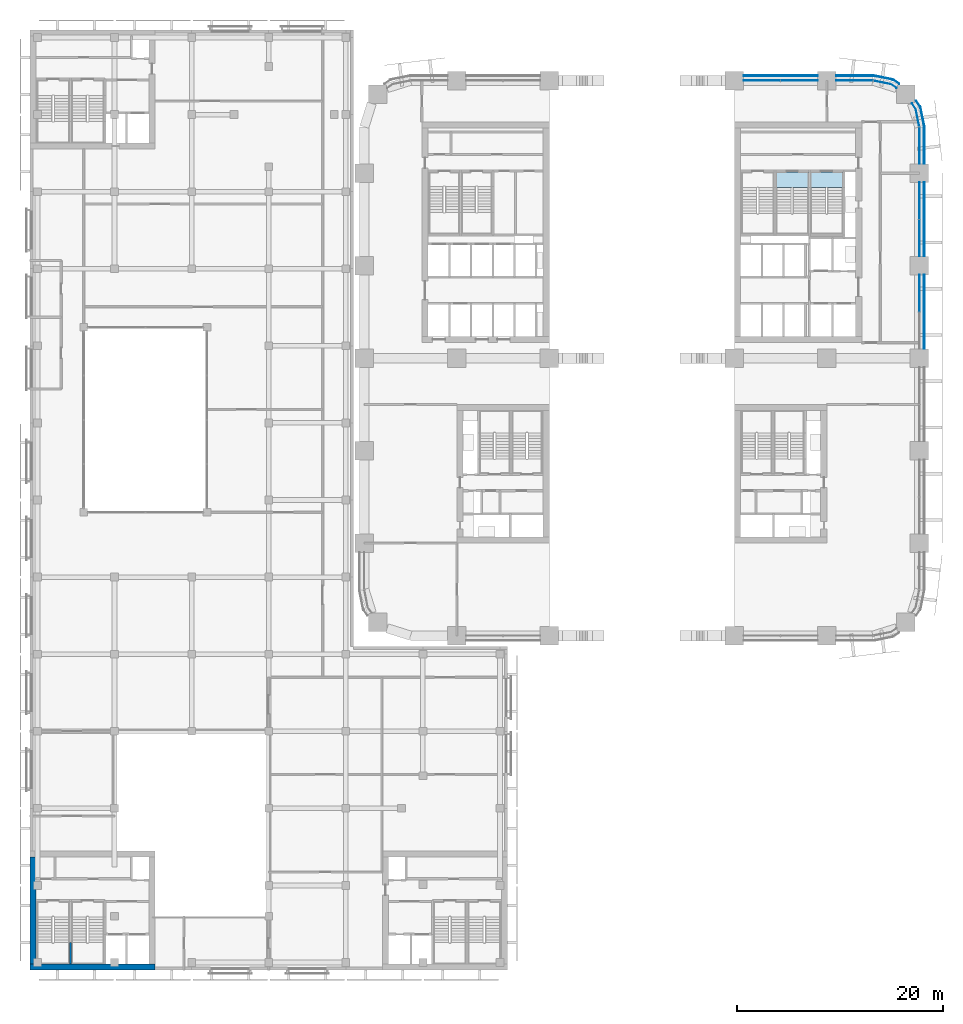
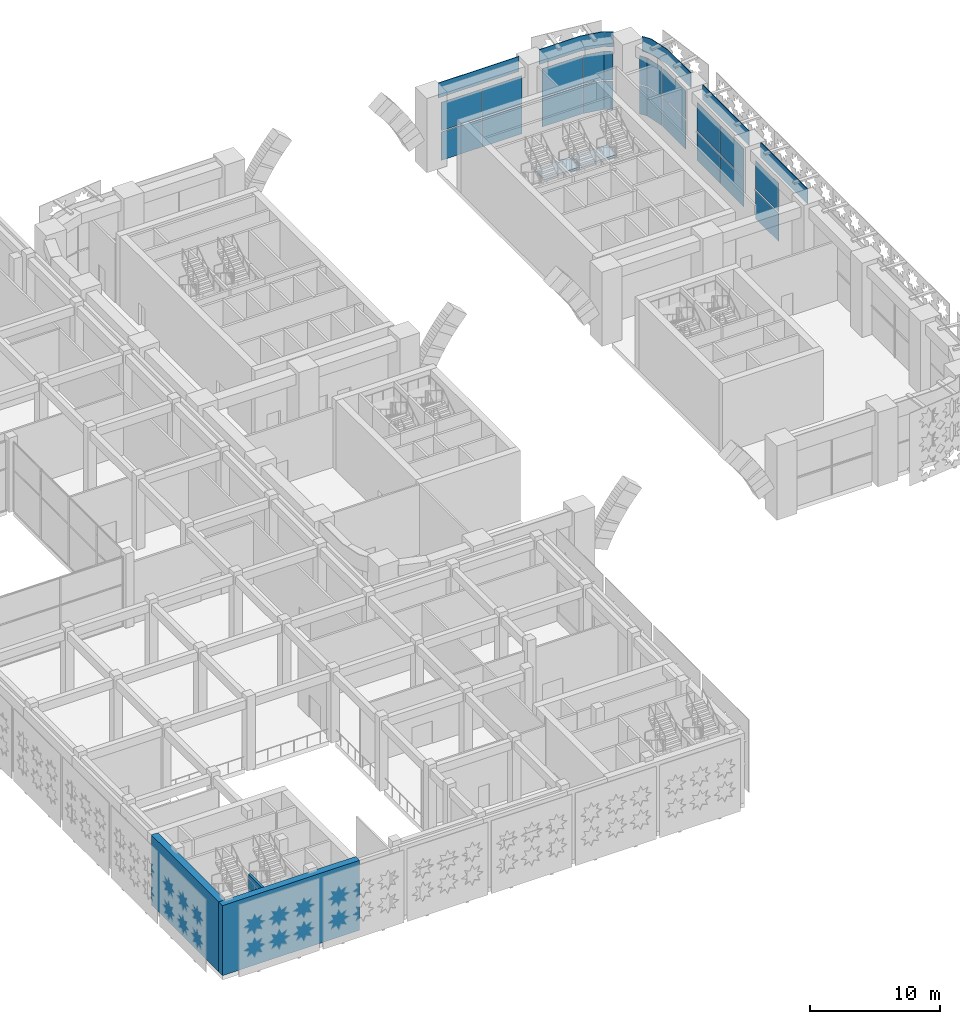
# One storey, part 13 of 42: 23 plates, 3 walls, 2 slabs, 7 elements without a shape of their own.
"""IFC4 building model written with IfcOpenShell, lengths in metres."""

from ifc_helpers import new_model, si_unit, direction, frame, frame_2d, origin, origin_2d, place, context, subcontext, project, spatial, polyline, rectangle, outline, extrude, material, layer, layer_set, type_object, element, aggregate, save


model = new_model("IFC4")

# Units and contexts
model_context = context("Model", 3, precision=1e-05, world=origin(), true_north=direction((0.0, 1.0)))
body_context = subcontext(model_context, "Body", "Model", "MODEL_VIEW")
ifc_project = project(units=[si_unit("LENGTHUNIT", "METRE"), si_unit("AREAUNIT", "SQUARE_METRE"), si_unit("VOLUMEUNIT", "CUBIC_METRE"), si_unit("PLANEANGLEUNIT", "RADIAN"), si_unit("MASSUNIT", "GRAM", prefix="KILO")], contexts=[model_context])

# Site, building, storey
site_placement = place(None, origin())
site = spatial("IfcSite", under=ifc_project, at=site_placement, CompositionType="ELEMENT")
building_placement = place(site_placement, origin())
building = spatial("IfcBuilding", under=site, at=building_placement, Name="Tessera Arch", CompositionType="ELEMENT")
storey_placement = place(building_placement, frame((0.0, 0.0, 14.0)))
storey = spatial("IfcBuildingStorey", under=building, at=storey_placement, Name="L02", CompositionType="ELEMENT", Elevation=14.0)

# Curtain wall, plates
ifc_material_1 = material(Name="CW2 curtain wall")
curtain_wall_type_1 = type_object("IfcCurtainWallType", Name="CW2 curtain wall", PredefinedType="NOTDEFINED", material=ifc_material_1)
curtain_wall_1_placement = place(storey_placement, origin())
curtain_wall_1 = element("IfcCurtainWall", 1, at=curtain_wall_1_placement, inside=storey, type_object=curtain_wall_type_1, Name="CW2 curtain wall E54.0/4 L02", PredefinedType="NOTDEFINED")
ifc_material_2 = material(Name="Clear low-e glass", Category="glass")
ifc_layer_1 = layer(ifc_material_2, 0.028076171875)
ifc_layer_set_1 = layer_set([ifc_layer_1], Name="CW2 glass panel")
plate_type_1 = type_object("IfcPlateType", Name="CW2 glass panel", PredefinedType="CURTAIN_PANEL", material=ifc_layer_set_1)
plate_1_placement = place(storey_placement, frame((54.0, 47.679931640625, 0.0), z_axis=(0.0, 0.0, 1.0), x_axis=(0.0, 1.0, 0.0)))
plate_1 = element("IfcPlate", 2, at=plate_1_placement, type_object=plate_type_1, Name="CW2 glass panel E54.0/4 1.1", PredefinedType="CURTAIN_PANEL", context=body_context, shape_type="SweptSolid", body=[
    extrude(rectangle(XDim=3.56005859375, YDim=0.028076171875, at=origin_2d()), origin(), (0.0, 0.0, 1.0), 2.695068359375),
])
plate_2_placement = place(storey_placement, origin())
plate_2 = element("IfcPlate", 3, at=plate_2_placement, type_object=plate_type_1, Name="CW2 curved glass panel E54.0/4 2.1", PredefinedType="CURTAIN_PANEL", context=body_context, shape_type="SweptSolid", body=[
    extrude(outline(polyline([(53.644287109375, 51.216552734375), (53.978515625, 49.53662109375), (54.005859375, 49.5419921875), (53.670654296875, 51.2275390625), (53.294921875, 51.789794921875), (53.271728515625, 51.774169921875), (53.644287109375, 51.216552734375)])), origin(), (0.0, 0.0, 1.0), 2.695068359375),
])
plate_3_placement = place(storey_placement, frame((54.0, 47.679931640625, 2.794921875), z_axis=(0.0, 0.0, 1.0), x_axis=(0.0, 1.0, 0.0)))
plate_3 = element("IfcPlate", 4, at=plate_3_placement, type_object=plate_type_1, Name="CW2 glass panel E54.0/4 1.2", PredefinedType="CURTAIN_PANEL", context=body_context, shape_type="SweptSolid", body=[
    extrude(rectangle(XDim=3.56005859375, YDim=0.028076171875, at=origin_2d()), origin(), (0.0, 0.0, 1.0), 2.695068359375),
])
plate_4_placement = place(storey_placement, frame((0.0, 0.0, 2.794921875)))
plate_4 = element("IfcPlate", 5, at=plate_4_placement, type_object=plate_type_1, Name="CW2 curved glass panel E54.0/4 2.2", PredefinedType="CURTAIN_PANEL", context=body_context, shape_type="SweptSolid", body=[
    extrude(outline(polyline([(53.644287109375, 51.216552734375), (53.978515625, 49.53662109375), (54.005859375, 49.5419921875), (53.670654296875, 51.2275390625), (53.294921875, 51.789794921875), (53.271728515625, 51.774169921875), (53.644287109375, 51.216552734375)])), origin(), (0.0, 0.0, 1.0), 2.695068359375),
])

curtain_wall_2_placement = place(storey_placement, origin())
curtain_wall_2 = element("IfcCurtainWall", 6, at=curtain_wall_2_placement, inside=storey, type_object=curtain_wall_type_1, Name="CW2 curtain wall N54.36/0 L02", PredefinedType="NOTDEFINED")
plate_5_placement = place(storey_placement, frame((47.679931640625, 54.0, 0.0), z_axis=(0.0, 0.0, 1.0), x_axis=(-1.0, 0.0, 0.0)))
plate_5 = element("IfcPlate", 7, at=plate_5_placement, type_object=plate_type_1, Name="CW2 glass panel N54.36/0 1.1", PredefinedType="CURTAIN_PANEL", context=body_context, shape_type="SweptSolid", body=[
    extrude(rectangle(XDim=3.56005859375, YDim=0.028076171875, at=origin_2d()), origin(), (0.0, 0.0, 1.0), 2.695068359375),
])
plate_6_placement = place(storey_placement, origin())
plate_6 = element("IfcPlate", 8, at=plate_6_placement, type_object=plate_type_1, Name="CW2 curved glass panel N54.36/0 2.1", PredefinedType="CURTAIN_PANEL", context=body_context, shape_type="SweptSolid", body=[
    extrude(outline(polyline([(51.216552734375, 53.644287109375), (51.774169921875, 53.271728515625), (51.789794921875, 53.294921875), (51.2275390625, 53.670654296875), (49.5419921875, 54.005859375), (49.53662109375, 53.978515625), (51.216552734375, 53.644287109375)])), origin(), (0.0, 0.0, 1.0), 2.695068359375),
])
plate_7_placement = place(storey_placement, frame((47.679931640625, 54.0, 2.794921875), z_axis=(0.0, 0.0, 1.0), x_axis=(-1.0, 0.0, 0.0)))
plate_7 = element("IfcPlate", 9, at=plate_7_placement, type_object=plate_type_1, Name="CW2 glass panel N54.36/0 1.2", PredefinedType="CURTAIN_PANEL", context=body_context, shape_type="SweptSolid", body=[
    extrude(rectangle(XDim=3.56005859375, YDim=0.028076171875, at=origin_2d()), origin(), (0.0, 0.0, 1.0), 2.695068359375),
])
plate_8_placement = place(storey_placement, frame((0.0, 0.0, 2.794921875)))
plate_8 = element("IfcPlate", 10, at=plate_8_placement, type_object=plate_type_1, Name="CW2 curved glass panel N54.36/0 2.2", PredefinedType="CURTAIN_PANEL", context=body_context, shape_type="SweptSolid", body=[
    extrude(outline(polyline([(51.216552734375, 53.644287109375), (51.774169921875, 53.271728515625), (51.789794921875, 53.294921875), (51.2275390625, 53.670654296875), (49.5419921875, 54.005859375), (49.53662109375, 53.978515625), (51.216552734375, 53.644287109375)])), origin(), (0.0, 0.0, 1.0), 2.695068359375),
])

# Plate
ifc_material_3 = material(Name="Pale anodised aluminium panel", Category="aluminium")
ifc_layer_2 = layer(ifc_material_3, 0.06005859375)
ifc_layer_set_2 = layer_set([ifc_layer_2], Name="CW2 spandrel panel")
plate_type_2 = type_object("IfcPlateType", Name="CW2 spandrel panel", PredefinedType="CURTAIN_PANEL", material=ifc_layer_set_2)
plate_9_placement = place(storey_placement, frame((0.0, 0.0, 5.590087890625)))
plate_9 = element("IfcPlate", 11, at=plate_9_placement, type_object=plate_type_2, Name="CW2 spandrel panel E54.0/4", PredefinedType="CURTAIN_PANEL", context=body_context, shape_type="SweptSolid", body=[
    extrude(outline(polyline([(54.449951171875, 49.499267578125), (54.449951171875, 45.89990234375), (54.510009765625, 45.89990234375), (54.510009765625, 49.500732421875), (54.507568359375, 49.550048828125), (54.500244140625, 49.598876953125), (54.157470703125, 51.322265625), (54.1455078125, 51.3701171875), (54.128662109375, 51.417236328125), (54.107177734375, 51.462646484375), (54.08203125, 51.5048828125), (53.707275390625, 52.0654296875), (53.657470703125, 52.031982421875), (54.03125, 51.47265625), (54.05419921875, 51.434326171875), (54.0732421875, 51.394287109375), (54.088134765625, 51.352783203125), (54.09912109375, 51.30908203125), (54.441162109375, 49.588623046875), (54.44775390625, 49.544189453125), (54.449951171875, 49.499267578125)])), origin(), (0.0, 0.0, 1.0), 1.409912109375),
])

aggregate(curtain_wall_1, [plate_1, plate_2, plate_3, plate_4, plate_9])

plate_10_placement = place(storey_placement, frame((0.0, 0.0, 5.590087890625)))
plate_10 = element("IfcPlate", 12, at=plate_10_placement, type_object=plate_type_2, Name="CW2 spandrel panel N54.36/0", PredefinedType="CURTAIN_PANEL", context=body_context, shape_type="SweptSolid", body=[
    extrude(outline(polyline([(51.47265625, 54.03125), (52.031982421875, 53.657470703125), (52.0654296875, 53.707275390625), (51.5048828125, 54.08203125), (51.462646484375, 54.107177734375), (51.417236328125, 54.128662109375), (51.3701171875, 54.1455078125), (51.322265625, 54.157470703125), (49.598876953125, 54.500244140625), (49.550048828125, 54.507568359375), (49.500732421875, 54.510009765625), (45.89990234375, 54.510009765625), (45.89990234375, 54.449951171875), (49.499267578125, 54.449951171875), (49.544189453125, 54.44775390625), (49.588623046875, 54.441162109375), (51.30908203125, 54.09912109375), (51.352783203125, 54.088134765625), (51.394287109375, 54.0732421875), (51.434326171875, 54.05419921875), (51.47265625, 54.03125)])), origin(), (0.0, 0.0, 1.0), 1.409912109375),
])

aggregate(curtain_wall_2, [plate_5, plate_6, plate_7, plate_8, plate_10])

# Curtain wall, plates
ifc_material_4 = material(Name="CW6 curtain wall")
curtain_wall_type_2 = type_object("IfcCurtainWallType", Name="CW6 curtain wall", PredefinedType="NOTDEFINED", material=ifc_material_4)
curtain_wall_3_placement = place(storey_placement, origin())
curtain_wall_3 = element("IfcCurtainWall", 13, at=curtain_wall_3_placement, inside=storey, type_object=curtain_wall_type_2, Name="CW6 curtain wall E54.0/2 L02", PredefinedType="NOTDEFINED")
ifc_material_5 = material(Name="Clear low-e glass", Category="glass")
ifc_layer_3 = layer(ifc_material_5, 0.028076171875)
ifc_layer_set_3 = layer_set([ifc_layer_3], Name="CW6 glass panel")
plate_type_3 = type_object("IfcPlateType", Name="CW6 glass panel", PredefinedType="CURTAIN_PANEL", material=ifc_layer_set_3)
plate_11_placement = place(storey_placement, frame((54.0, 33.3173828125, 0.0), z_axis=(0.0, 0.0, 1.0), x_axis=(0.0, 1.0, 0.0)))
plate_11 = element("IfcPlate", 14, at=plate_11_placement, type_object=plate_type_3, Name="CW6 glass panel E54.0/2 1.2.1", PredefinedType="CURTAIN_PANEL", context=body_context, shape_type="SweptSolid", body=[
    extrude(rectangle(XDim=3.56494140625, YDim=0.028076171875, at=origin_2d()), origin(), (0.0, 0.0, 1.0), 2.675048828125),
])
plate_12_placement = place(storey_placement, frame((54.0, 33.3173828125, 2.794921875), z_axis=(0.0, 0.0, 1.0), x_axis=(0.0, 1.0, 0.0)))
plate_12 = element("IfcPlate", 15, at=plate_12_placement, type_object=plate_type_3, Name="CW6 glass panel E54.0/2 1.2.2", PredefinedType="CURTAIN_PANEL", context=body_context, shape_type="SweptSolid", body=[
    extrude(rectangle(XDim=3.56494140625, YDim=0.028076171875, at=origin_2d()), origin(), (0.0, 0.0, 1.0), 2.675048828125),
])

curtain_wall_4_placement = place(storey_placement, origin())
curtain_wall_4 = element("IfcCurtainWall", 16, at=curtain_wall_4_placement, inside=storey, type_object=curtain_wall_type_2, Name="CW6 curtain wall E54.0/3 L02", PredefinedType="NOTDEFINED")
plate_13_placement = place(storey_placement, frame((54.0, 38.6826171875, 0.0), z_axis=(0.0, 0.0, 1.0), x_axis=(0.0, 1.0, 0.0)))
plate_13 = element("IfcPlate", 17, at=plate_13_placement, type_object=plate_type_3, Name="CW6 glass panel E54.0/3 1.1.1", PredefinedType="CURTAIN_PANEL", context=body_context, shape_type="SweptSolid", body=[
    extrude(rectangle(XDim=3.56494140625, YDim=0.028076171875, at=origin_2d()), origin(), (0.0, 0.0, 1.0), 2.675048828125),
])
plate_14_placement = place(storey_placement, frame((54.0, 38.6826171875, 2.794921875), z_axis=(0.0, 0.0, 1.0), x_axis=(0.0, 1.0, 0.0)))
plate_14 = element("IfcPlate", 18, at=plate_14_placement, type_object=plate_type_3, Name="CW6 glass panel E54.0/3 1.1.2", PredefinedType="CURTAIN_PANEL", context=body_context, shape_type="SweptSolid", body=[
    extrude(rectangle(XDim=3.56494140625, YDim=0.028076171875, at=origin_2d()), origin(), (0.0, 0.0, 1.0), 2.675048828125),
])
plate_15_placement = place(storey_placement, frame((54.0, 42.3173828125, 0.0), z_axis=(0.0, 0.0, 1.0), x_axis=(0.0, 1.0, 0.0)))
plate_15 = element("IfcPlate", 19, at=plate_15_placement, type_object=plate_type_3, Name="CW6 glass panel E54.0/3 1.2.1", PredefinedType="CURTAIN_PANEL", context=body_context, shape_type="SweptSolid", body=[
    extrude(rectangle(XDim=3.56494140625, YDim=0.028076171875, at=origin_2d()), origin(), (0.0, 0.0, 1.0), 2.675048828125),
])
plate_16_placement = place(storey_placement, frame((54.0, 42.3173828125, 2.794921875), z_axis=(0.0, 0.0, 1.0), x_axis=(0.0, 1.0, 0.0)))
plate_16 = element("IfcPlate", 20, at=plate_16_placement, type_object=plate_type_3, Name="CW6 glass panel E54.0/3 1.2.2", PredefinedType="CURTAIN_PANEL", context=body_context, shape_type="SweptSolid", body=[
    extrude(rectangle(XDim=3.56494140625, YDim=0.028076171875, at=origin_2d()), origin(), (0.0, 0.0, 1.0), 2.675048828125),
])

curtain_wall_5_placement = place(storey_placement, origin())
curtain_wall_5 = element("IfcCurtainWall", 21, at=curtain_wall_5_placement, inside=storey, type_object=curtain_wall_type_2, Name="CW6 curtain wall N54.36/1 L02", PredefinedType="NOTDEFINED")
plate_17_placement = place(storey_placement, frame((42.3173828125, 54.0, 0.0), z_axis=(0.0, 0.0, 1.0), x_axis=(-1.0, 0.0, 0.0)))
plate_17 = element("IfcPlate", 22, at=plate_17_placement, type_object=plate_type_3, Name="CW6 glass panel N54.36/1 1.1.1", PredefinedType="CURTAIN_PANEL", context=body_context, shape_type="SweptSolid", body=[
    extrude(rectangle(XDim=3.56494140625, YDim=0.028076171875, at=origin_2d()), origin(), (0.0, 0.0, 1.0), 2.675048828125),
])
plate_18_placement = place(storey_placement, frame((42.3173828125, 54.0, 2.794921875), z_axis=(0.0, 0.0, 1.0), x_axis=(-1.0, 0.0, 0.0)))
plate_18 = element("IfcPlate", 23, at=plate_18_placement, type_object=plate_type_3, Name="CW6 glass panel N54.36/1 1.1.2", PredefinedType="CURTAIN_PANEL", context=body_context, shape_type="SweptSolid", body=[
    extrude(rectangle(XDim=3.56494140625, YDim=0.028076171875, at=origin_2d()), origin(), (0.0, 0.0, 1.0), 2.675048828125),
])
plate_19_placement = place(storey_placement, frame((38.6826171875, 54.0, 0.0), z_axis=(0.0, 0.0, 1.0), x_axis=(-1.0, 0.0, 0.0)))
plate_19 = element("IfcPlate", 24, at=plate_19_placement, type_object=plate_type_3, Name="CW6 glass panel N54.36/1 1.2.1", PredefinedType="CURTAIN_PANEL", context=body_context, shape_type="SweptSolid", body=[
    extrude(rectangle(XDim=3.56494140625, YDim=0.028076171875, at=origin_2d()), origin(), (0.0, 0.0, 1.0), 2.675048828125),
])
plate_20_placement = place(storey_placement, frame((38.6826171875, 54.0, 2.794921875), z_axis=(0.0, 0.0, 1.0), x_axis=(-1.0, 0.0, 0.0)))
plate_20 = element("IfcPlate", 25, at=plate_20_placement, type_object=plate_type_3, Name="CW6 glass panel N54.36/1 1.2.2", PredefinedType="CURTAIN_PANEL", context=body_context, shape_type="SweptSolid", body=[
    extrude(rectangle(XDim=3.56494140625, YDim=0.028076171875, at=origin_2d()), origin(), (0.0, 0.0, 1.0), 2.675048828125),
])

# Plate
ifc_material_6 = material(Name="Pale anodised aluminium panel", Category="aluminium")
ifc_layer_4 = layer(ifc_material_6, 0.06005859375)
ifc_layer_set_4 = layer_set([ifc_layer_4], Name="CW6 spandrel panel")
plate_type_4 = type_object("IfcPlateType", Name="CW6 spandrel panel", PredefinedType="CURTAIN_PANEL", material=ifc_layer_set_4)
plate_21_placement = place(storey_placement, frame((54.47998046875, 31.5, 5.58984375), z_axis=(0.0, 0.0, 1.0), x_axis=(0.0, 1.0, 0.0)))
plate_21 = element("IfcPlate", 26, at=plate_21_placement, type_object=plate_type_4, Name="CW6 spandrel panel E54.0/2", PredefinedType="CURTAIN_PANEL", context=body_context, shape_type="SweptSolid", body=[
    extrude(rectangle(XDim=7.199951171875, YDim=0.06005859375, at=origin_2d()), origin(), (0.0, 0.0, 1.0), 1.409912109375),
])

aggregate(curtain_wall_3, [plate_11, plate_12, plate_21])

plate_22_placement = place(storey_placement, frame((54.47998046875, 40.5, 5.58984375), z_axis=(0.0, 0.0, 1.0), x_axis=(0.0, 1.0, 0.0)))
plate_22 = element("IfcPlate", 27, at=plate_22_placement, type_object=plate_type_4, Name="CW6 spandrel panel E54.0/3", PredefinedType="CURTAIN_PANEL", context=body_context, shape_type="SweptSolid", body=[
    extrude(rectangle(XDim=7.199951171875, YDim=0.06005859375, at=origin_2d()), origin(), (0.0, 0.0, 1.0), 1.409912109375),
])

aggregate(curtain_wall_4, [plate_13, plate_14, plate_15, plate_16, plate_22])

plate_23_placement = place(storey_placement, frame((40.5, 54.47998046875, 5.58984375), z_axis=(0.0, 0.0, 1.0), x_axis=(-1.0, 0.0, 0.0)))
plate_23 = element("IfcPlate", 28, at=plate_23_placement, type_object=plate_type_4, Name="CW6 spandrel panel N54.36/1", PredefinedType="CURTAIN_PANEL", context=body_context, shape_type="SweptSolid", body=[
    extrude(rectangle(XDim=7.199951171875, YDim=0.06005859375, at=origin_2d()), origin(), (0.0, 0.0, 1.0), 1.409912109375),
])

aggregate(curtain_wall_5, [plate_17, plate_18, plate_19, plate_20, plate_23])

# Stair, slab
ifc_material_7 = material(Name="Concrete C40/50", Category="concrete")
stair_type = type_object("IfcStairType", Name="Dogleg stair 1520", PredefinedType="HALF_TURN_STAIR", material=ifc_material_7)
stair_1_placement = place(storey_placement, origin())
stair_1 = element("IfcStair", 29, at=stair_1_placement, inside=storey, type_object=stair_type, Name="L02 S1b", PredefinedType="HALF_TURN_STAIR")
ifc_material_8 = material(Name="Concrete C40/50", Category="concrete")
ifc_layer_5 = layer(ifc_material_8, 0.300048828125)
ifc_layer_set_5 = layer_set([ifc_layer_5], Name="Stair landing 300")
slab_type = type_object("IfcSlabType", Name="Stair landing 300", PredefinedType="LANDING", material=ifc_layer_set_5)
slab_1_placement = place(storey_placement, frame((0.0, 0.0, 3.300048828125)))
slab_1 = element("IfcSlab", 30, at=slab_1_placement, type_object=slab_type, Name="S1b landing 2", PredefinedType="LANDING", context=body_context, shape_type="SweptSolid", body=[
    extrude(outline(polyline([(40.050048828125, 45.10009765625), (40.050048828125, 43.580078125), (43.199951171875, 43.580078125), (43.199951171875, 45.10009765625), (40.050048828125, 45.10009765625)])), origin(), (0.0, 0.0, 1.0), 0.199951171875),
])
aggregate(stair_1, [slab_1])

stair_2_placement = place(storey_placement, origin())
stair_2 = element("IfcStair", 31, at=stair_2_placement, inside=storey, type_object=stair_type, Name="L02 S1c", PredefinedType="HALF_TURN_STAIR")
slab_2_placement = place(storey_placement, frame((0.0, 0.0, 3.300048828125)))
slab_2 = element("IfcSlab", 32, at=slab_2_placement, type_object=slab_type, Name="S1c landing 2", PredefinedType="LANDING", context=body_context, shape_type="SweptSolid", body=[
    extrude(outline(polyline([(43.39990234375, 45.10009765625), (43.39990234375, 43.580078125), (46.550048828125, 43.580078125), (46.550048828125, 45.10009765625), (43.39990234375, 45.10009765625)])), origin(), (0.0, 0.0, 1.0), 0.199951171875),
])
aggregate(stair_2, [slab_2])

# Walls
ifc_material_9 = material(Name="Concrete C70/85", Category="concrete")
ifc_layer_6 = layer(ifc_material_9, 0.60009765625)
ifc_layer_set_6 = layer_set([ifc_layer_6], Name="Core shell wall 600 C70-85")
wall_type_1 = type_object("IfcWallType", Name="Core shell wall 600 C70-85", PredefinedType="SHEAR", material=ifc_layer_set_6)
wall_1_placement = place(storey_placement, frame((-32.550048828125, -32.25, 0.0), z_axis=(0.0, 0.0, 1.0), x_axis=(1.0, 0.0, 0.0)))
element("IfcWall", 33, at=wall_1_placement, inside=storey, type_object=wall_type_1, Name="L02 M2 core wall S", PredefinedType="SHEAR", context=body_context, shape_type="SweptSolid", body=[
    extrude(rectangle(XDim=12.199951171875, YDim=0.60009765625, at=frame_2d((6.10009765625, 0.0))), origin(), (0.0, 0.0, 1.0), 6.590087890625),
])
wall_2_placement = place(storey_placement, frame((-32.25, -31.949951171875, 0.0), z_axis=(0.0, 0.0, 1.0), x_axis=(0.0, 1.0, 0.0)))
element("IfcWall", 34, at=wall_2_placement, inside=storey, type_object=wall_type_1, Name="L02 M2 core wall W", PredefinedType="SHEAR", context=body_context, shape_type="SweptSolid", body=[
    extrude(rectangle(XDim=10.39990234375, YDim=0.60009765625, at=frame_2d((5.199951171875, 0.0))), origin(), (0.0, 0.0, 1.0), 6.590087890625),
])
ifc_material_10 = material(Name="Concrete C40/50", Category="concrete")
ifc_layer_7 = layer(ifc_material_10, 0.199951171875)
ifc_layer_set_7 = layer_set([ifc_layer_7], Name="Stair well wall 200 REI 180")
wall_type_2 = type_object("IfcWallType", Name="Stair well wall 200 REI 180", PredefinedType="SOLIDWALL", material=ifc_layer_set_7)
wall_3_placement = place(storey_placement, frame((-28.60009765625, -31.949951171875, 0.0), z_axis=(0.0, 0.0, 1.0), x_axis=(0.0, 1.0, 0.0)))
element("IfcWall", 35, at=wall_3_placement, inside=storey, type_object=wall_type_2, Name="L02 M2 shaft wall 2", PredefinedType="SOLIDWALL", context=body_context, shape_type="SweptSolid", body=[
    extrude(rectangle(XDim=2.079833984375, YDim=0.199951171875, at=frame_2d((1.0400390625, 0.0))), origin(), (0.0, 0.0, 1.0), 6.590087890625),
])

save(model, "model.ifc")
